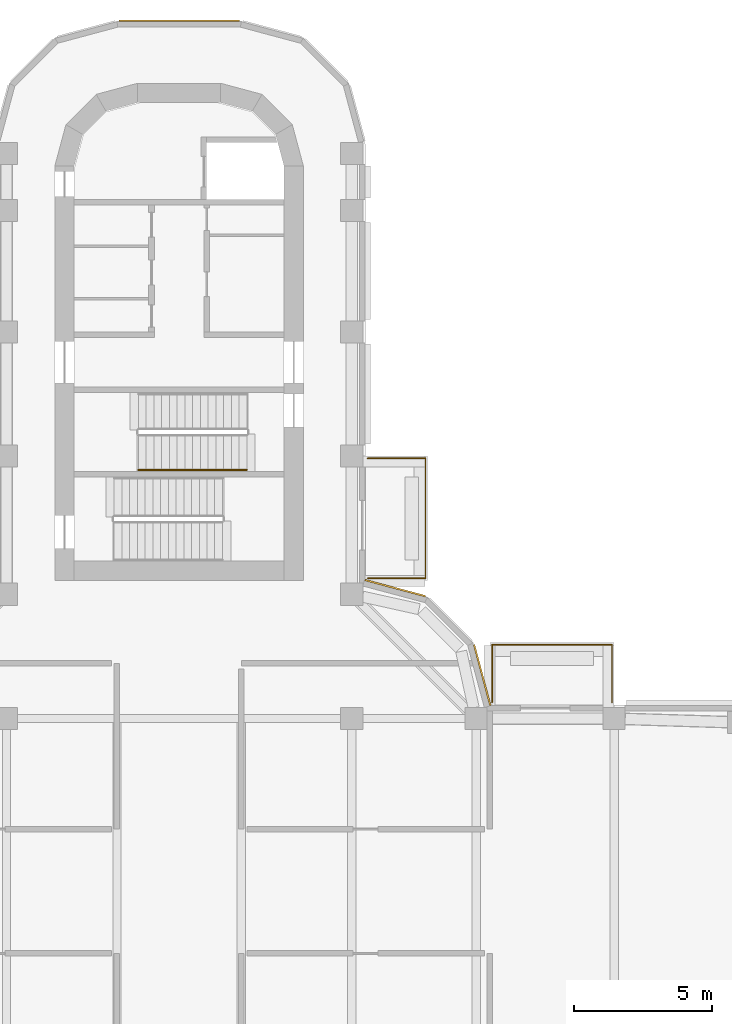
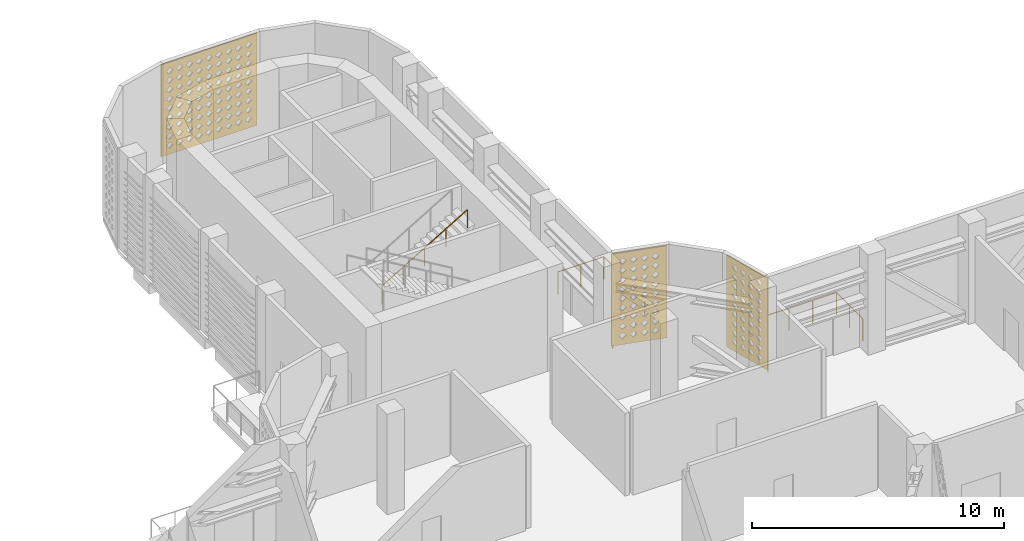
# One storey, part 18 of 21: 3 coverings, 3 railings.
"""IFC4 building model written with IfcOpenShell, lengths in metres."""

from ifc_helpers import new_model, si_unit, direction, frame, origin, origin_2d, place, context, subcontext, project, spatial, polyline, circle, outline, extrude, source, transform, mapped, material, layer, layer_set, type_object, element, save


model = new_model("IFC4")

# Units and contexts
model_context = context("Model", 3, precision=1e-05, world=origin(), true_north=direction((0.0, 1.0)))
body_context = subcontext(model_context, "Body", "Model", "MODEL_VIEW")
ifc_project = project(units=[si_unit("LENGTHUNIT", "METRE"), si_unit("AREAUNIT", "SQUARE_METRE"), si_unit("VOLUMEUNIT", "CUBIC_METRE"), si_unit("PLANEANGLEUNIT", "RADIAN"), si_unit("MASSUNIT", "GRAM", prefix="KILO")], contexts=[model_context])

# Site, building, storey
site_placement = place(None, origin())
site = spatial("IfcSite", under=ifc_project, at=site_placement, CompositionType="ELEMENT")
building_placement = place(site_placement, origin())
building = spatial("IfcBuilding", under=site, at=building_placement, Name="Zarbagh Exchange Tower", CompositionType="ELEMENT")
storey_placement = place(building_placement, frame((0.0, 0.0, 190.39990234375)))
storey = spatial("IfcBuildingStorey", under=building, at=storey_placement, Name="L46", CompositionType="ELEMENT", Elevation=190.39990234375)

# Railings
ifc_material_1 = material(Name="Stainless steel", Category="steel")
railing_type_1 = type_object("IfcRailingType", Name="Stair handrail 900 mm", PredefinedType="HANDRAIL", material=ifc_material_1)
railing_1_placement = place(storey_placement, frame((-1.469970703125, 15.25, 2.666748046875)))
element("IfcRailing", 1, at=railing_1_placement, inside=storey, type_object=railing_type_1, Name="ST1 stair handrail 2", PredefinedType="HANDRAIL", context=body_context, shape_type="SweptSolid", body=[
    extrude(circle(Radius=0.02392578125, at=origin_2d()), frame((0.0, 0.0, 0.8759765625), z_axis=(0.859296244711, 0.0, 0.511478214419), x_axis=(0.0, 1.0, 0.0)), (0.0, 0.0, 1.0), 4.561767578125),
    extrude(circle(Radius=0.02099609375, at=origin_2d()), origin(), (0.0, 0.0, 1.0), 0.851806640625),
    extrude(circle(Radius=0.02099609375, at=origin_2d()), frame((0.97998046875, 0.0, 0.583251953125)), (0.0, 0.0, 1.0), 0.851806640625),
    extrude(circle(Radius=0.02099609375, at=origin_2d()), frame((1.9599609375, 0.0, 1.16650390625)), (0.0, 0.0, 1.0), 0.851806640625),
    extrude(circle(Radius=0.02099609375, at=origin_2d()), frame((2.93994140625, 0.0, 1.75)), (0.0, 0.0, 1.0), 0.851806640625),
    extrude(circle(Radius=0.02099609375, at=origin_2d()), frame((3.919921875, 0.0, 2.333251953125)), (0.0, 0.0, 1.0), 0.851806640625),
])
ifc_material_2 = material(Name="Stainless steel and laminated glass", Category="steel")
railing_type_2 = type_object("IfcRailingType", Name="Terrace guard, glass balustrade 1.1 m", PredefinedType="GUARDRAIL", material=ifc_material_2)
railing_2_placement = place(storey_placement, frame((6.830078125, 15.669921875, 0.0)))
element("IfcRailing", 2, at=railing_2_placement, inside=storey, type_object=railing_type_2, Name="TG01 terrace guard", PredefinedType="GUARDRAIL", context=body_context, shape_type="SweptSolid", body=[
    extrude(circle(Radius=0.02490234375, at=origin_2d()), frame((0.0, 0.0, 1.0751953125), z_axis=(1.0, 0.0, 0.0), x_axis=(0.0, 1.0, 0.0)), (0.0, 0.0, 1.0), 2.08984375),
    extrude(circle(Radius=0.02490234375, at=origin_2d()), frame((2.08984375, 0.0, 1.0751953125), z_axis=(0.0, -1.0, 0.0), x_axis=(1.0, 0.0, 0.0)), (0.0, 0.0, 1.0), 4.33984375),
    extrude(circle(Radius=0.02490234375, at=origin_2d()), frame((2.08984375, -4.33984375, 1.0751953125), z_axis=(-1.0, 0.0, 0.0), x_axis=(0.0, -1.0, 0.0)), (0.0, 0.0, 1.0), 2.08984375),
    extrude(circle(Radius=0.02490234375, at=origin_2d()), origin(), (0.0, 0.0, 1.0), 1.050048828125),
    extrude(circle(Radius=0.02490234375, at=origin_2d()), frame((1.044921875, 0.0, 0.0)), (0.0, 0.0, 1.0), 1.050048828125),
    extrude(circle(Radius=0.02490234375, at=origin_2d()), frame((2.08984375, 0.0, 0.0)), (0.0, 0.0, 1.0), 1.050048828125),
    extrude(circle(Radius=0.02490234375, at=origin_2d()), frame((2.08984375, -1.0849609375, 0.0)), (0.0, 0.0, 1.0), 1.050048828125),
    extrude(circle(Radius=0.02490234375, at=origin_2d()), frame((2.08984375, -2.169921875, 0.0)), (0.0, 0.0, 1.0), 1.050048828125),
    extrude(circle(Radius=0.02490234375, at=origin_2d()), frame((2.08984375, -3.2548828125, 0.0)), (0.0, 0.0, 1.0), 1.050048828125),
    extrude(circle(Radius=0.02490234375, at=origin_2d()), frame((2.08984375, -4.33984375, 0.0)), (0.0, 0.0, 1.0), 1.050048828125),
    extrude(circle(Radius=0.02490234375, at=origin_2d()), frame((1.044921875, -4.33984375, 0.0)), (0.0, 0.0, 1.0), 1.050048828125),
    extrude(circle(Radius=0.02490234375, at=origin_2d()), frame((0.0, -4.33984375, 0.0)), (0.0, 0.0, 1.0), 1.050048828125),
])
railing_3_placement = place(storey_placement, frame((11.330078125, 6.830078125, 0.0)))
element("IfcRailing", 3, at=railing_3_placement, inside=storey, type_object=railing_type_2, Name="TG01 terrace guard", PredefinedType="GUARDRAIL", context=body_context, shape_type="SweptSolid", body=[
    extrude(circle(Radius=0.02490234375, at=origin_2d()), frame((0.0, 0.0, 1.0751953125), z_axis=(0.0, 1.0, 0.0), x_axis=(-1.0, 0.0, 0.0)), (0.0, 0.0, 1.0), 2.08984375),
    extrude(circle(Radius=0.02490234375, at=origin_2d()), frame((0.0, 2.08984375, 1.0751953125), z_axis=(1.0, 0.0, 0.0), x_axis=(0.0, 1.0, 0.0)), (0.0, 0.0, 1.0), 4.33984375),
    extrude(circle(Radius=0.02490234375, at=origin_2d()), frame((4.33984375, 2.08984375, 1.0751953125), z_axis=(0.0, -1.0, 0.0), x_axis=(1.0, 0.0, 0.0)), (0.0, 0.0, 1.0), 2.08984375),
    extrude(circle(Radius=0.02490234375, at=origin_2d()), origin(), (0.0, 0.0, 1.0), 1.050048828125),
    extrude(circle(Radius=0.02490234375, at=origin_2d()), frame((0.0, 1.044921875, 0.0)), (0.0, 0.0, 1.0), 1.050048828125),
    extrude(circle(Radius=0.02490234375, at=origin_2d()), frame((0.0, 2.08984375, 0.0)), (0.0, 0.0, 1.0), 1.050048828125),
    extrude(circle(Radius=0.02490234375, at=origin_2d()), frame((1.0849609375, 2.08984375, 0.0)), (0.0, 0.0, 1.0), 1.050048828125),
    extrude(circle(Radius=0.02490234375, at=origin_2d()), frame((2.169921875, 2.08984375, 0.0)), (0.0, 0.0, 1.0), 1.050048828125),
    extrude(circle(Radius=0.02490234375, at=origin_2d()), frame((3.2548828125, 2.08984375, 0.0)), (0.0, 0.0, 1.0), 1.050048828125),
    extrude(circle(Radius=0.02490234375, at=origin_2d()), frame((4.33984375, 2.08984375, 0.0)), (0.0, 0.0, 1.0), 1.050048828125),
    extrude(circle(Radius=0.02490234375, at=origin_2d()), frame((4.33984375, 1.044921875, 0.0)), (0.0, 0.0, 1.0), 1.050048828125),
    extrude(circle(Radius=0.02490234375, at=origin_2d()), frame((4.33984375, 0.0, 0.0)), (0.0, 0.0, 1.0), 1.050048828125),
])

# Coverings
ifc_material_3 = material(Name="Glass-fibre reinforced concrete GFRC C50/60", Category="concrete")
ifc_layer = layer(ifc_material_3, 0.06005859375)
ifc_layer_set = layer_set([ifc_layer], Name="SCREEN jali panel, GFRC")
covering_type = type_object("IfcCoveringType", Name="SCREEN jali panel, GFRC", PredefinedType="CLADDING", material=ifc_layer_set)
shared_shape_1 = source(origin(), body_context, "Body", "SweptSolid", [
    extrude(outline(polyline([(0.0, 0.0), (4.368408203125, 0.0), (4.368408203125, 4.449951171875), (0.0, 4.449951171875), (0.0, 0.0)]), holes=[polyline([(0.234130859375, 0.425048828125), (0.38427734375, 0.27490234375), (0.5341796875, 0.425048828125), (0.38427734375, 0.574951171875), (0.234130859375, 0.425048828125)]), polyline([(0.234130859375, 0.875), (0.38427734375, 0.72509765625), (0.5341796875, 0.875), (0.38427734375, 1.02490234375), (0.234130859375, 0.875)]), polyline([(0.234130859375, 1.324951171875), (0.38427734375, 1.175048828125), (0.5341796875, 1.324951171875), (0.38427734375, 1.47509765625), (0.234130859375, 1.324951171875)]), polyline([(0.234130859375, 1.77490234375), (0.38427734375, 1.625), (0.5341796875, 1.77490234375), (0.38427734375, 1.925048828125), (0.234130859375, 1.77490234375)]), polyline([(0.234130859375, 2.22509765625), (0.38427734375, 2.074951171875), (0.5341796875, 2.22509765625), (0.38427734375, 2.375), (0.234130859375, 2.22509765625)]), polyline([(0.234130859375, 2.675048828125), (0.38427734375, 2.52490234375), (0.5341796875, 2.675048828125), (0.38427734375, 2.824951171875), (0.234130859375, 2.675048828125)]), polyline([(0.234130859375, 3.125), (0.38427734375, 2.97509765625), (0.5341796875, 3.125), (0.38427734375, 3.27490234375), (0.234130859375, 3.125)]), polyline([(0.234130859375, 3.574951171875), (0.38427734375, 3.425048828125), (0.5341796875, 3.574951171875), (0.38427734375, 3.72509765625), (0.234130859375, 3.574951171875)]), polyline([(0.234130859375, 4.02490234375), (0.38427734375, 3.875), (0.5341796875, 4.02490234375), (0.38427734375, 4.175048828125), (0.234130859375, 4.02490234375)]), polyline([(0.68408203125, 0.425048828125), (0.834228515625, 0.27490234375), (0.984130859375, 0.425048828125), (0.834228515625, 0.574951171875), (0.68408203125, 0.425048828125)]), polyline([(0.68408203125, 0.875), (0.834228515625, 0.72509765625), (0.984130859375, 0.875), (0.834228515625, 1.02490234375), (0.68408203125, 0.875)]), polyline([(0.68408203125, 1.324951171875), (0.834228515625, 1.175048828125), (0.984130859375, 1.324951171875), (0.834228515625, 1.47509765625), (0.68408203125, 1.324951171875)]), polyline([(0.68408203125, 1.77490234375), (0.834228515625, 1.625), (0.984130859375, 1.77490234375), (0.834228515625, 1.925048828125), (0.68408203125, 1.77490234375)]), polyline([(0.68408203125, 2.22509765625), (0.834228515625, 2.074951171875), (0.984130859375, 2.22509765625), (0.834228515625, 2.375), (0.68408203125, 2.22509765625)]), polyline([(0.68408203125, 2.675048828125), (0.834228515625, 2.52490234375), (0.984130859375, 2.675048828125), (0.834228515625, 2.824951171875), (0.68408203125, 2.675048828125)]), polyline([(0.68408203125, 3.125), (0.834228515625, 2.97509765625), (0.984130859375, 3.125), (0.834228515625, 3.27490234375), (0.68408203125, 3.125)]), polyline([(0.68408203125, 3.574951171875), (0.834228515625, 3.425048828125), (0.984130859375, 3.574951171875), (0.834228515625, 3.72509765625), (0.68408203125, 3.574951171875)]), polyline([(0.68408203125, 4.02490234375), (0.834228515625, 3.875), (0.984130859375, 4.02490234375), (0.834228515625, 4.175048828125), (0.68408203125, 4.02490234375)]), polyline([(1.13427734375, 0.425048828125), (1.2841796875, 0.27490234375), (1.43408203125, 0.425048828125), (1.2841796875, 0.574951171875), (1.13427734375, 0.425048828125)]), polyline([(1.13427734375, 0.875), (1.2841796875, 0.72509765625), (1.43408203125, 0.875), (1.2841796875, 1.02490234375), (1.13427734375, 0.875)]), polyline([(1.13427734375, 1.324951171875), (1.2841796875, 1.175048828125), (1.43408203125, 1.324951171875), (1.2841796875, 1.47509765625), (1.13427734375, 1.324951171875)]), polyline([(1.13427734375, 1.77490234375), (1.2841796875, 1.625), (1.43408203125, 1.77490234375), (1.2841796875, 1.925048828125), (1.13427734375, 1.77490234375)]), polyline([(1.13427734375, 2.22509765625), (1.2841796875, 2.074951171875), (1.43408203125, 2.22509765625), (1.2841796875, 2.375), (1.13427734375, 2.22509765625)]), polyline([(1.13427734375, 2.675048828125), (1.2841796875, 2.52490234375), (1.43408203125, 2.675048828125), (1.2841796875, 2.824951171875), (1.13427734375, 2.675048828125)]), polyline([(1.13427734375, 3.125), (1.2841796875, 2.97509765625), (1.43408203125, 3.125), (1.2841796875, 3.27490234375), (1.13427734375, 3.125)]), polyline([(1.13427734375, 3.574951171875), (1.2841796875, 3.425048828125), (1.43408203125, 3.574951171875), (1.2841796875, 3.72509765625), (1.13427734375, 3.574951171875)]), polyline([(1.13427734375, 4.02490234375), (1.2841796875, 3.875), (1.43408203125, 4.02490234375), (1.2841796875, 4.175048828125), (1.13427734375, 4.02490234375)]), polyline([(1.584228515625, 0.425048828125), (1.734130859375, 0.27490234375), (1.88427734375, 0.425048828125), (1.734130859375, 0.574951171875), (1.584228515625, 0.425048828125)]), polyline([(1.584228515625, 0.875), (1.734130859375, 0.72509765625), (1.88427734375, 0.875), (1.734130859375, 1.02490234375), (1.584228515625, 0.875)]), polyline([(1.584228515625, 1.324951171875), (1.734130859375, 1.175048828125), (1.88427734375, 1.324951171875), (1.734130859375, 1.47509765625), (1.584228515625, 1.324951171875)]), polyline([(1.584228515625, 1.77490234375), (1.734130859375, 1.625), (1.88427734375, 1.77490234375), (1.734130859375, 1.925048828125), (1.584228515625, 1.77490234375)]), polyline([(1.584228515625, 2.22509765625), (1.734130859375, 2.074951171875), (1.88427734375, 2.22509765625), (1.734130859375, 2.375), (1.584228515625, 2.22509765625)]), polyline([(1.584228515625, 2.675048828125), (1.734130859375, 2.52490234375), (1.88427734375, 2.675048828125), (1.734130859375, 2.824951171875), (1.584228515625, 2.675048828125)]), polyline([(1.584228515625, 3.125), (1.734130859375, 2.97509765625), (1.88427734375, 3.125), (1.734130859375, 3.27490234375), (1.584228515625, 3.125)]), polyline([(1.584228515625, 3.574951171875), (1.734130859375, 3.425048828125), (1.88427734375, 3.574951171875), (1.734130859375, 3.72509765625), (1.584228515625, 3.574951171875)]), polyline([(1.584228515625, 4.02490234375), (1.734130859375, 3.875), (1.88427734375, 4.02490234375), (1.734130859375, 4.175048828125), (1.584228515625, 4.02490234375)]), polyline([(2.0341796875, 0.425048828125), (2.18408203125, 0.27490234375), (2.334228515625, 0.425048828125), (2.18408203125, 0.574951171875), (2.0341796875, 0.425048828125)]), polyline([(2.0341796875, 0.875), (2.18408203125, 0.72509765625), (2.334228515625, 0.875), (2.18408203125, 1.02490234375), (2.0341796875, 0.875)]), polyline([(2.0341796875, 1.324951171875), (2.18408203125, 1.175048828125), (2.334228515625, 1.324951171875), (2.18408203125, 1.47509765625), (2.0341796875, 1.324951171875)]), polyline([(2.0341796875, 1.77490234375), (2.18408203125, 1.625), (2.334228515625, 1.77490234375), (2.18408203125, 1.925048828125), (2.0341796875, 1.77490234375)]), polyline([(2.0341796875, 2.22509765625), (2.18408203125, 2.074951171875), (2.334228515625, 2.22509765625), (2.18408203125, 2.375), (2.0341796875, 2.22509765625)]), polyline([(2.0341796875, 2.675048828125), (2.18408203125, 2.52490234375), (2.334228515625, 2.675048828125), (2.18408203125, 2.824951171875), (2.0341796875, 2.675048828125)]), polyline([(2.0341796875, 3.125), (2.18408203125, 2.97509765625), (2.334228515625, 3.125), (2.18408203125, 3.27490234375), (2.0341796875, 3.125)]), polyline([(2.0341796875, 3.574951171875), (2.18408203125, 3.425048828125), (2.334228515625, 3.574951171875), (2.18408203125, 3.72509765625), (2.0341796875, 3.574951171875)]), polyline([(2.0341796875, 4.02490234375), (2.18408203125, 3.875), (2.334228515625, 4.02490234375), (2.18408203125, 4.175048828125), (2.0341796875, 4.02490234375)]), polyline([(2.484130859375, 0.425048828125), (2.63427734375, 0.27490234375), (2.7841796875, 0.425048828125), (2.63427734375, 0.574951171875), (2.484130859375, 0.425048828125)]), polyline([(2.484130859375, 0.875), (2.63427734375, 0.72509765625), (2.7841796875, 0.875), (2.63427734375, 1.02490234375), (2.484130859375, 0.875)]), polyline([(2.484130859375, 1.324951171875), (2.63427734375, 1.175048828125), (2.7841796875, 1.324951171875), (2.63427734375, 1.47509765625), (2.484130859375, 1.324951171875)]), polyline([(2.484130859375, 1.77490234375), (2.63427734375, 1.625), (2.7841796875, 1.77490234375), (2.63427734375, 1.925048828125), (2.484130859375, 1.77490234375)]), polyline([(2.484130859375, 2.22509765625), (2.63427734375, 2.074951171875), (2.7841796875, 2.22509765625), (2.63427734375, 2.375), (2.484130859375, 2.22509765625)]), polyline([(2.484130859375, 2.675048828125), (2.63427734375, 2.52490234375), (2.7841796875, 2.675048828125), (2.63427734375, 2.824951171875), (2.484130859375, 2.675048828125)]), polyline([(2.484130859375, 3.125), (2.63427734375, 2.97509765625), (2.7841796875, 3.125), (2.63427734375, 3.27490234375), (2.484130859375, 3.125)]), polyline([(2.484130859375, 3.574951171875), (2.63427734375, 3.425048828125), (2.7841796875, 3.574951171875), (2.63427734375, 3.72509765625), (2.484130859375, 3.574951171875)]), polyline([(2.484130859375, 4.02490234375), (2.63427734375, 3.875), (2.7841796875, 4.02490234375), (2.63427734375, 4.175048828125), (2.484130859375, 4.02490234375)]), polyline([(2.93408203125, 0.425048828125), (3.084228515625, 0.27490234375), (3.234130859375, 0.425048828125), (3.084228515625, 0.574951171875), (2.93408203125, 0.425048828125)]), polyline([(2.93408203125, 0.875), (3.084228515625, 0.72509765625), (3.234130859375, 0.875), (3.084228515625, 1.02490234375), (2.93408203125, 0.875)]), polyline([(2.93408203125, 1.324951171875), (3.084228515625, 1.175048828125), (3.234130859375, 1.324951171875), (3.084228515625, 1.47509765625), (2.93408203125, 1.324951171875)]), polyline([(2.93408203125, 1.77490234375), (3.084228515625, 1.625), (3.234130859375, 1.77490234375), (3.084228515625, 1.925048828125), (2.93408203125, 1.77490234375)]), polyline([(2.93408203125, 2.22509765625), (3.084228515625, 2.074951171875), (3.234130859375, 2.22509765625), (3.084228515625, 2.375), (2.93408203125, 2.22509765625)]), polyline([(2.93408203125, 2.675048828125), (3.084228515625, 2.52490234375), (3.234130859375, 2.675048828125), (3.084228515625, 2.824951171875), (2.93408203125, 2.675048828125)]), polyline([(2.93408203125, 3.125), (3.084228515625, 2.97509765625), (3.234130859375, 3.125), (3.084228515625, 3.27490234375), (2.93408203125, 3.125)]), polyline([(2.93408203125, 3.574951171875), (3.084228515625, 3.425048828125), (3.234130859375, 3.574951171875), (3.084228515625, 3.72509765625), (2.93408203125, 3.574951171875)]), polyline([(2.93408203125, 4.02490234375), (3.084228515625, 3.875), (3.234130859375, 4.02490234375), (3.084228515625, 4.175048828125), (2.93408203125, 4.02490234375)]), polyline([(3.38427734375, 0.425048828125), (3.5341796875, 0.27490234375), (3.68408203125, 0.425048828125), (3.5341796875, 0.574951171875), (3.38427734375, 0.425048828125)]), polyline([(3.38427734375, 0.875), (3.5341796875, 0.72509765625), (3.68408203125, 0.875), (3.5341796875, 1.02490234375), (3.38427734375, 0.875)]), polyline([(3.38427734375, 1.324951171875), (3.5341796875, 1.175048828125), (3.68408203125, 1.324951171875), (3.5341796875, 1.47509765625), (3.38427734375, 1.324951171875)]), polyline([(3.38427734375, 1.77490234375), (3.5341796875, 1.625), (3.68408203125, 1.77490234375), (3.5341796875, 1.925048828125), (3.38427734375, 1.77490234375)]), polyline([(3.38427734375, 2.22509765625), (3.5341796875, 2.074951171875), (3.68408203125, 2.22509765625), (3.5341796875, 2.375), (3.38427734375, 2.22509765625)]), polyline([(3.38427734375, 2.675048828125), (3.5341796875, 2.52490234375), (3.68408203125, 2.675048828125), (3.5341796875, 2.824951171875), (3.38427734375, 2.675048828125)]), polyline([(3.38427734375, 3.125), (3.5341796875, 2.97509765625), (3.68408203125, 3.125), (3.5341796875, 3.27490234375), (3.38427734375, 3.125)]), polyline([(3.38427734375, 3.574951171875), (3.5341796875, 3.425048828125), (3.68408203125, 3.574951171875), (3.5341796875, 3.72509765625), (3.38427734375, 3.574951171875)]), polyline([(3.38427734375, 4.02490234375), (3.5341796875, 3.875), (3.68408203125, 4.02490234375), (3.5341796875, 4.175048828125), (3.38427734375, 4.02490234375)]), polyline([(3.834228515625, 0.425048828125), (3.984130859375, 0.27490234375), (4.13427734375, 0.425048828125), (3.984130859375, 0.574951171875), (3.834228515625, 0.425048828125)]), polyline([(3.834228515625, 0.875), (3.984130859375, 0.72509765625), (4.13427734375, 0.875), (3.984130859375, 1.02490234375), (3.834228515625, 0.875)]), polyline([(3.834228515625, 1.324951171875), (3.984130859375, 1.175048828125), (4.13427734375, 1.324951171875), (3.984130859375, 1.47509765625), (3.834228515625, 1.324951171875)]), polyline([(3.834228515625, 1.77490234375), (3.984130859375, 1.625), (4.13427734375, 1.77490234375), (3.984130859375, 1.925048828125), (3.834228515625, 1.77490234375)]), polyline([(3.834228515625, 2.22509765625), (3.984130859375, 2.074951171875), (4.13427734375, 2.22509765625), (3.984130859375, 2.375), (3.834228515625, 2.22509765625)]), polyline([(3.834228515625, 2.675048828125), (3.984130859375, 2.52490234375), (4.13427734375, 2.675048828125), (3.984130859375, 2.824951171875), (3.834228515625, 2.675048828125)]), polyline([(3.834228515625, 3.125), (3.984130859375, 2.97509765625), (4.13427734375, 3.125), (3.984130859375, 3.27490234375), (3.834228515625, 3.125)]), polyline([(3.834228515625, 3.574951171875), (3.984130859375, 3.425048828125), (4.13427734375, 3.574951171875), (3.984130859375, 3.72509765625), (3.834228515625, 3.574951171875)]), polyline([(3.834228515625, 4.02490234375), (3.984130859375, 3.875), (4.13427734375, 4.02490234375), (3.984130859375, 4.175048828125), (3.834228515625, 4.02490234375)])]), origin(), (0.0, 0.0, 1.0), 0.06005859375),
])
placement = place(storey_placement, origin())
element("IfcCovering", 4, at=placement, inside=storey, type_object=covering_type, Name="JS51 jali screen", PredefinedType="CLADDING", context=body_context, shape_type="MappedRepresentation", body=[
    mapped(shared_shape_1, transform((2.18408203125, 31.47998046875, 0.2001953125), x_axis=(-1.0, 0.0, 0.0), y_axis=(0.0, 0.0, 1.0), z_axis=(0.0, 1.0, 0.0))),
])
shared_shape_2 = source(origin(), body_context, "Body", "SweptSolid", [
    extrude(outline(polyline([(0.0, 0.0), (2.277099609375, 0.0), (2.277099609375, 4.449951171875), (0.0, 4.449951171875), (0.0, 0.0)]), holes=[polyline([(0.313720703125, 0.425048828125), (0.463623046875, 0.27490234375), (0.613525390625, 0.425048828125), (0.463623046875, 0.574951171875), (0.313720703125, 0.425048828125)]), polyline([(0.313720703125, 0.875), (0.463623046875, 0.72509765625), (0.613525390625, 0.875), (0.463623046875, 1.02490234375), (0.313720703125, 0.875)]), polyline([(0.313720703125, 1.324951171875), (0.463623046875, 1.175048828125), (0.613525390625, 1.324951171875), (0.463623046875, 1.47509765625), (0.313720703125, 1.324951171875)]), polyline([(0.313720703125, 1.77490234375), (0.463623046875, 1.625), (0.613525390625, 1.77490234375), (0.463623046875, 1.925048828125), (0.313720703125, 1.77490234375)]), polyline([(0.313720703125, 2.22509765625), (0.463623046875, 2.074951171875), (0.613525390625, 2.22509765625), (0.463623046875, 2.375), (0.313720703125, 2.22509765625)]), polyline([(0.313720703125, 2.675048828125), (0.463623046875, 2.52490234375), (0.613525390625, 2.675048828125), (0.463623046875, 2.824951171875), (0.313720703125, 2.675048828125)]), polyline([(0.313720703125, 3.125), (0.463623046875, 2.97509765625), (0.613525390625, 3.125), (0.463623046875, 3.27490234375), (0.313720703125, 3.125)]), polyline([(0.313720703125, 3.574951171875), (0.463623046875, 3.425048828125), (0.613525390625, 3.574951171875), (0.463623046875, 3.72509765625), (0.313720703125, 3.574951171875)]), polyline([(0.313720703125, 4.02490234375), (0.463623046875, 3.875), (0.613525390625, 4.02490234375), (0.463623046875, 4.175048828125), (0.313720703125, 4.02490234375)]), polyline([(0.763671875, 0.425048828125), (0.91357421875, 0.27490234375), (1.063720703125, 0.425048828125), (0.91357421875, 0.574951171875), (0.763671875, 0.425048828125)]), polyline([(0.763671875, 0.875), (0.91357421875, 0.72509765625), (1.063720703125, 0.875), (0.91357421875, 1.02490234375), (0.763671875, 0.875)]), polyline([(0.763671875, 1.324951171875), (0.91357421875, 1.175048828125), (1.063720703125, 1.324951171875), (0.91357421875, 1.47509765625), (0.763671875, 1.324951171875)]), polyline([(0.763671875, 1.77490234375), (0.91357421875, 1.625), (1.063720703125, 1.77490234375), (0.91357421875, 1.925048828125), (0.763671875, 1.77490234375)]), polyline([(0.763671875, 2.22509765625), (0.91357421875, 2.074951171875), (1.063720703125, 2.22509765625), (0.91357421875, 2.375), (0.763671875, 2.22509765625)]), polyline([(0.763671875, 2.675048828125), (0.91357421875, 2.52490234375), (1.063720703125, 2.675048828125), (0.91357421875, 2.824951171875), (0.763671875, 2.675048828125)]), polyline([(0.763671875, 3.125), (0.91357421875, 2.97509765625), (1.063720703125, 3.125), (0.91357421875, 3.27490234375), (0.763671875, 3.125)]), polyline([(0.763671875, 3.574951171875), (0.91357421875, 3.425048828125), (1.063720703125, 3.574951171875), (0.91357421875, 3.72509765625), (0.763671875, 3.574951171875)]), polyline([(0.763671875, 4.02490234375), (0.91357421875, 3.875), (1.063720703125, 4.02490234375), (0.91357421875, 4.175048828125), (0.763671875, 4.02490234375)]), polyline([(1.213623046875, 0.425048828125), (1.363525390625, 0.27490234375), (1.513671875, 0.425048828125), (1.363525390625, 0.574951171875), (1.213623046875, 0.425048828125)]), polyline([(1.213623046875, 0.875), (1.363525390625, 0.72509765625), (1.513671875, 0.875), (1.363525390625, 1.02490234375), (1.213623046875, 0.875)]), polyline([(1.213623046875, 1.324951171875), (1.363525390625, 1.175048828125), (1.513671875, 1.324951171875), (1.363525390625, 1.47509765625), (1.213623046875, 1.324951171875)]), polyline([(1.213623046875, 1.77490234375), (1.363525390625, 1.625), (1.513671875, 1.77490234375), (1.363525390625, 1.925048828125), (1.213623046875, 1.77490234375)]), polyline([(1.213623046875, 2.22509765625), (1.363525390625, 2.074951171875), (1.513671875, 2.22509765625), (1.363525390625, 2.375), (1.213623046875, 2.22509765625)]), polyline([(1.213623046875, 2.675048828125), (1.363525390625, 2.52490234375), (1.513671875, 2.675048828125), (1.363525390625, 2.824951171875), (1.213623046875, 2.675048828125)]), polyline([(1.213623046875, 3.125), (1.363525390625, 2.97509765625), (1.513671875, 3.125), (1.363525390625, 3.27490234375), (1.213623046875, 3.125)]), polyline([(1.213623046875, 3.574951171875), (1.363525390625, 3.425048828125), (1.513671875, 3.574951171875), (1.363525390625, 3.72509765625), (1.213623046875, 3.574951171875)]), polyline([(1.213623046875, 4.02490234375), (1.363525390625, 3.875), (1.513671875, 4.02490234375), (1.363525390625, 4.175048828125), (1.213623046875, 4.02490234375)]), polyline([(1.66357421875, 0.425048828125), (1.813720703125, 0.27490234375), (1.963623046875, 0.425048828125), (1.813720703125, 0.574951171875), (1.66357421875, 0.425048828125)]), polyline([(1.66357421875, 0.875), (1.813720703125, 0.72509765625), (1.963623046875, 0.875), (1.813720703125, 1.02490234375), (1.66357421875, 0.875)]), polyline([(1.66357421875, 1.324951171875), (1.813720703125, 1.175048828125), (1.963623046875, 1.324951171875), (1.813720703125, 1.47509765625), (1.66357421875, 1.324951171875)]), polyline([(1.66357421875, 1.77490234375), (1.813720703125, 1.625), (1.963623046875, 1.77490234375), (1.813720703125, 1.925048828125), (1.66357421875, 1.77490234375)]), polyline([(1.66357421875, 2.22509765625), (1.813720703125, 2.074951171875), (1.963623046875, 2.22509765625), (1.813720703125, 2.375), (1.66357421875, 2.22509765625)]), polyline([(1.66357421875, 2.675048828125), (1.813720703125, 2.52490234375), (1.963623046875, 2.675048828125), (1.813720703125, 2.824951171875), (1.66357421875, 2.675048828125)]), polyline([(1.66357421875, 3.125), (1.813720703125, 2.97509765625), (1.963623046875, 3.125), (1.813720703125, 3.27490234375), (1.66357421875, 3.125)]), polyline([(1.66357421875, 3.574951171875), (1.813720703125, 3.425048828125), (1.963623046875, 3.574951171875), (1.813720703125, 3.72509765625), (1.66357421875, 3.574951171875)]), polyline([(1.66357421875, 4.02490234375), (1.813720703125, 3.875), (1.963623046875, 4.02490234375), (1.813720703125, 4.175048828125), (1.66357421875, 4.02490234375)])]), origin(), (0.0, 0.0, 1.0), 0.06005859375),
])
element("IfcCovering", 5, at=placement, inside=storey, type_object=covering_type, Name="JS14 jali screen", PredefinedType="CLADDING", context=body_context, shape_type="MappedRepresentation", body=[
    mapped(shared_shape_2, transform((11.238525390625, 6.7158203125, 0.2001953125), x_axis=(-0.258825057666, 0.965924215207, 0.0), y_axis=(0.0, 0.0, 1.0), z_axis=(0.965924215207, 0.258825057666, 0.0))),
])
element("IfcCovering", 6, at=placement, inside=storey, type_object=covering_type, Name="JS16 jali screen", PredefinedType="CLADDING", context=body_context, shape_type="MappedRepresentation", body=[
    mapped(shared_shape_2, transform((8.91552734375, 10.64892578125, 0.2001953125), x_axis=(-0.965924215207, 0.258825057666, 0.0), y_axis=(0.0, 0.0, 1.0), z_axis=(0.258825057666, 0.965924215207, 0.0))),
])

save(model, "model.ifc")
